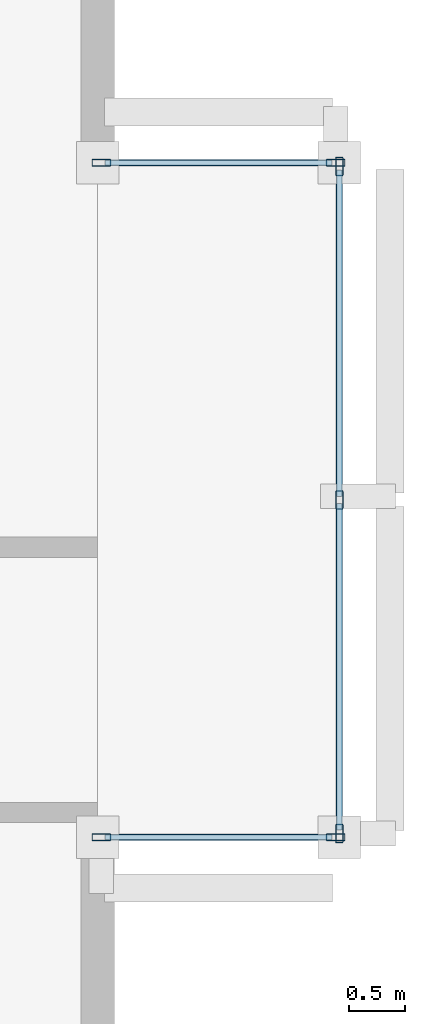
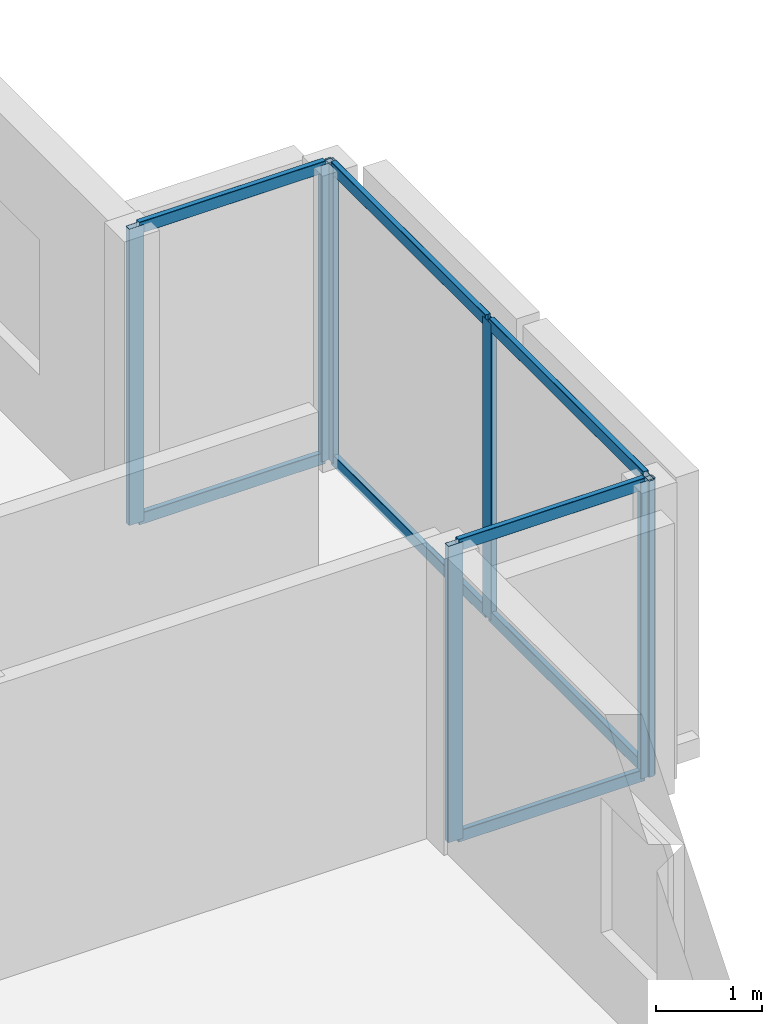
# One storey, part 4 of 14: 15 members, 3 elements without a shape of their own.
"""IFC4 building model written with IfcOpenShell, lengths in metres."""

from ifc_helpers import new_model, si_unit, direction, frame, origin, origin_2d, place, context, subcontext, project, spatial, hollow_rectangle, extrude, material, layer, layer_set, material_profile, profile_set, type_object, element, aggregate, save


model = new_model("IFC4")

# Units and contexts
model_context = context("Model", 3, precision=1e-05, world=origin(), true_north=direction((0.0, 1.0)))
body_context = subcontext(model_context, "Body", "Model", "MODEL_VIEW")
ifc_project = project(units=[si_unit("LENGTHUNIT", "METRE"), si_unit("AREAUNIT", "SQUARE_METRE"), si_unit("VOLUMEUNIT", "CUBIC_METRE"), si_unit("PLANEANGLEUNIT", "RADIAN"), si_unit("MASSUNIT", "GRAM", prefix="KILO")], contexts=[model_context])

# Site, building, storey
site_placement = place(None, origin())
site = spatial("IfcSite", under=ifc_project, at=site_placement, CompositionType="ELEMENT")
building_placement = place(site_placement, origin())
building = spatial("IfcBuilding", under=site, at=building_placement, Name="An Khanh Terracotta Commons", CompositionType="ELEMENT")
storey_placement = place(building_placement, frame((0.0, 0.0, 93.5)))
storey = spatial("IfcBuildingStorey", under=building, at=storey_placement, Name="L24", CompositionType="ELEMENT", Elevation=93.5)

# Curtain wall, members
ifc_material = material(Name="Anodised Aluminium 6063-T6", Category="aluminium")
ifc_layer = layer(ifc_material, 0.239990234375, Name="Anodised Aluminium 6063-T6")
ifc_layer_set = layer_set([ifc_layer], Name="Anodised Aluminium 6063-T6")
curtain_wall_type = type_object("IfcCurtainWallType", Name="CW-SYS-04", PredefinedType="USERDEFINED", material=ifc_layer_set)
curtain_wall_1_placement = place(storey_placement, origin())
curtain_wall_1 = element("IfcCurtainWall", 1, at=curtain_wall_1_placement, inside=storey, type_object=curtain_wall_type, Name="L24 CW-04 Unitised Curtain Wall CW-L24-EBOX-1", ObjectType="UNITISED CURTAIN WALL", PredefinedType="USERDEFINED")
ifc_material_profile_1 = material_profile(ifc_material, hollow_rectangle(XDim=0.06494140625, YDim=0.1650390625, WallThickness=0.00390625, InnerFilletRadius=0.00390625, OuterFilletRadius=0.008056640625, at=origin_2d()), Name="RHS165x65x4")
ifc_profile_set_1 = profile_set([ifc_material_profile_1], Name="Anodised Aluminium 6063-T6")
member_type_1 = type_object("IfcMemberType", Name="CWM-RHS165x65x4", PredefinedType="MULLION", material=ifc_profile_set_1)
member_1_placement = place(storey_placement, frame((59.550048828125, 22.632568359375, 0.0), z_axis=(0.0, 0.0, 1.0), x_axis=(-1.0, 0.0, 0.0)))
member_1 = element("IfcMember", 2, at=member_1_placement, type_object=member_type_1, Name="CW-04 mullion 1", PredefinedType="MULLION", context=body_context, shape_type="SweptSolid", body=[
    extrude(hollow_rectangle(XDim=0.06494140625, YDim=0.1650390625, WallThickness=0.00390625, InnerFilletRadius=0.00390625, OuterFilletRadius=0.008056640625, at=origin_2d()), origin(), (0.0, 0.0, 1.0), 3.39990234375),
])
member_2_placement = place(storey_placement, frame((59.550048828125, 25.60009765625, 0.0), z_axis=(0.0, 0.0, 1.0), x_axis=(-1.0, 0.0, 0.0)))
member_2 = element("IfcMember", 3, at=member_2_placement, type_object=member_type_1, Name="CW-04 mullion 2", PredefinedType="MULLION", context=body_context, shape_type="SweptSolid", body=[
    extrude(hollow_rectangle(XDim=0.06494140625, YDim=0.1650390625, WallThickness=0.00390625, InnerFilletRadius=0.00390625, OuterFilletRadius=0.008056640625, at=origin_2d()), origin(), (0.0, 0.0, 1.0), 3.39990234375),
])
member_3_placement = place(storey_placement, frame((59.550048828125, 28.5673828125, 0.0), z_axis=(0.0, 0.0, 1.0), x_axis=(-1.0, 0.0, 0.0)))
member_3 = element("IfcMember", 4, at=member_3_placement, type_object=member_type_1, Name="CW-04 mullion 3", PredefinedType="MULLION", context=body_context, shape_type="SweptSolid", body=[
    extrude(hollow_rectangle(XDim=0.06494140625, YDim=0.1650390625, WallThickness=0.00390625, InnerFilletRadius=0.00390625, OuterFilletRadius=0.008056640625, at=origin_2d()), origin(), (0.0, 0.0, 1.0), 3.39990234375),
])

curtain_wall_2_placement = place(storey_placement, origin())
curtain_wall_2 = element("IfcCurtainWall", 5, at=curtain_wall_2_placement, inside=storey, type_object=curtain_wall_type, Name="L24 CW-04 Unitised Curtain Wall CW-L24-EBOX-2", ObjectType="UNITISED CURTAIN WALL", PredefinedType="USERDEFINED")
member_4_placement = place(storey_placement, frame((57.4326171875, 22.60009765625, 0.0), z_axis=(0.0, 0.0, 1.0), x_axis=(0.0, 1.0, 0.0)))
member_4 = element("IfcMember", 6, at=member_4_placement, type_object=member_type_1, Name="CW-04 mullion 1", PredefinedType="MULLION", context=body_context, shape_type="SweptSolid", body=[
    extrude(hollow_rectangle(XDim=0.06494140625, YDim=0.1650390625, WallThickness=0.00390625, InnerFilletRadius=0.00390625, OuterFilletRadius=0.008056640625, at=origin_2d()), origin(), (0.0, 0.0, 1.0), 3.39990234375),
])
member_5_placement = place(storey_placement, frame((59.517578125, 22.60009765625, 0.0), z_axis=(0.0, 0.0, 1.0), x_axis=(0.0, 1.0, 0.0)))
member_5 = element("IfcMember", 7, at=member_5_placement, type_object=member_type_1, Name="CW-04 mullion 2", PredefinedType="MULLION", context=body_context, shape_type="SweptSolid", body=[
    extrude(hollow_rectangle(XDim=0.06494140625, YDim=0.1650390625, WallThickness=0.00390625, InnerFilletRadius=0.00390625, OuterFilletRadius=0.008056640625, at=origin_2d()), origin(), (0.0, 0.0, 1.0), 3.39990234375),
])

curtain_wall_3_placement = place(storey_placement, origin())
curtain_wall_3 = element("IfcCurtainWall", 8, at=curtain_wall_3_placement, inside=storey, type_object=curtain_wall_type, Name="L24 CW-04 Unitised Curtain Wall CW-L24-EBOX-3", ObjectType="UNITISED CURTAIN WALL", PredefinedType="USERDEFINED")
member_6_placement = place(storey_placement, frame((59.517578125, 28.60009765625, 0.0), z_axis=(0.0, 0.0, 1.0), x_axis=(0.0, -1.0, 0.0)))
member_6 = element("IfcMember", 9, at=member_6_placement, type_object=member_type_1, Name="CW-04 mullion 1", PredefinedType="MULLION", context=body_context, shape_type="SweptSolid", body=[
    extrude(hollow_rectangle(XDim=0.06494140625, YDim=0.1650390625, WallThickness=0.00390625, InnerFilletRadius=0.00390625, OuterFilletRadius=0.008056640625, at=origin_2d()), origin(), (0.0, 0.0, 1.0), 3.39990234375),
])
member_7_placement = place(storey_placement, frame((57.4326171875, 28.60009765625, 0.0), z_axis=(0.0, 0.0, 1.0), x_axis=(0.0, -1.0, 0.0)))
member_7 = element("IfcMember", 10, at=member_7_placement, type_object=member_type_1, Name="CW-04 mullion 2", PredefinedType="MULLION", context=body_context, shape_type="SweptSolid", body=[
    extrude(hollow_rectangle(XDim=0.06494140625, YDim=0.1650390625, WallThickness=0.00390625, InnerFilletRadius=0.00390625, OuterFilletRadius=0.008056640625, at=origin_2d()), origin(), (0.0, 0.0, 1.0), 3.39990234375),
])

# Member
ifc_material_profile_2 = material_profile(ifc_material, hollow_rectangle(XDim=0.06005859375, YDim=0.135009765625, WallThickness=0.003662109375, InnerFilletRadius=0.003662109375, OuterFilletRadius=0.007080078125, at=origin_2d()), Name="RHS135x60x3.6")
ifc_profile_set_2 = profile_set([ifc_material_profile_2], Name="Anodised Aluminium 6063-T6")
member_type_2 = type_object("IfcMemberType", Name="CWT-RHS135x60x3.6", PredefinedType="USERDEFINED", material=ifc_profile_set_2)
member_8_placement = place(storey_placement, frame((59.550048828125, 22.6650390625, 0.030029296875), z_axis=(0.0, 1.0, 0.0), x_axis=(-1.0, 0.0, 0.0)))
member_8 = element("IfcMember", 11, at=member_8_placement, type_object=member_type_2, Name="CW-04 transom 1.1", ObjectType="TRANSOM", PredefinedType="USERDEFINED", context=body_context, shape_type="SweptSolid", body=[
    extrude(hollow_rectangle(XDim=0.06005859375, YDim=0.135009765625, WallThickness=0.003662109375, InnerFilletRadius=0.003662109375, OuterFilletRadius=0.007080078125, at=origin_2d()), origin(), (0.0, 0.0, 1.0), 2.90234375),
])

member_9_placement = place(storey_placement, frame((59.550048828125, 22.6650390625, 3.3701171875), z_axis=(0.0, 1.0, 0.0), x_axis=(-1.0, 0.0, 0.0)))
member_9 = element("IfcMember", 12, at=member_9_placement, type_object=member_type_2, Name="CW-04 transom 1.2", ObjectType="TRANSOM", PredefinedType="USERDEFINED", context=body_context, shape_type="SweptSolid", body=[
    extrude(hollow_rectangle(XDim=0.06005859375, YDim=0.135009765625, WallThickness=0.003662109375, InnerFilletRadius=0.003662109375, OuterFilletRadius=0.007080078125, at=origin_2d()), origin(), (0.0, 0.0, 1.0), 2.90234375),
])

member_10_placement = place(storey_placement, frame((59.550048828125, 25.632568359375, 0.030029296875), z_axis=(0.0, 1.0, 0.0), x_axis=(-1.0, 0.0, 0.0)))
member_10 = element("IfcMember", 13, at=member_10_placement, type_object=member_type_2, Name="CW-04 transom 2.1", ObjectType="TRANSOM", PredefinedType="USERDEFINED", context=body_context, shape_type="SweptSolid", body=[
    extrude(hollow_rectangle(XDim=0.06005859375, YDim=0.135009765625, WallThickness=0.003662109375, InnerFilletRadius=0.003662109375, OuterFilletRadius=0.007080078125, at=origin_2d()), origin(), (0.0, 0.0, 1.0), 2.90234375),
])

member_11_placement = place(storey_placement, frame((59.550048828125, 25.632568359375, 3.3701171875), z_axis=(0.0, 1.0, 0.0), x_axis=(-1.0, 0.0, 0.0)))
member_11 = element("IfcMember", 14, at=member_11_placement, type_object=member_type_2, Name="CW-04 transom 2.2", ObjectType="TRANSOM", PredefinedType="USERDEFINED", context=body_context, shape_type="SweptSolid", body=[
    extrude(hollow_rectangle(XDim=0.06005859375, YDim=0.135009765625, WallThickness=0.003662109375, InnerFilletRadius=0.003662109375, OuterFilletRadius=0.007080078125, at=origin_2d()), origin(), (0.0, 0.0, 1.0), 2.90234375),
])

aggregate(curtain_wall_1, [member_1, member_2, member_3, member_8, member_9, member_10, member_11])

member_12_placement = place(storey_placement, frame((57.465087890625, 22.60009765625, 0.030029296875), z_axis=(1.0, 0.0, 0.0), x_axis=(0.0, 1.0, 0.0)))
member_12 = element("IfcMember", 15, at=member_12_placement, type_object=member_type_2, Name="CW-04 transom 1.1", ObjectType="TRANSOM", PredefinedType="USERDEFINED", context=body_context, shape_type="SweptSolid", body=[
    extrude(hollow_rectangle(XDim=0.06005859375, YDim=0.135009765625, WallThickness=0.003662109375, InnerFilletRadius=0.003662109375, OuterFilletRadius=0.007080078125, at=origin_2d()), origin(), (0.0, 0.0, 1.0), 2.02001953125),
])

member_13_placement = place(storey_placement, frame((57.465087890625, 22.60009765625, 3.3701171875), z_axis=(1.0, 0.0, 0.0), x_axis=(0.0, 1.0, 0.0)))
member_13 = element("IfcMember", 16, at=member_13_placement, type_object=member_type_2, Name="CW-04 transom 1.2", ObjectType="TRANSOM", PredefinedType="USERDEFINED", context=body_context, shape_type="SweptSolid", body=[
    extrude(hollow_rectangle(XDim=0.06005859375, YDim=0.135009765625, WallThickness=0.003662109375, InnerFilletRadius=0.003662109375, OuterFilletRadius=0.007080078125, at=origin_2d()), origin(), (0.0, 0.0, 1.0), 2.02001953125),
])

aggregate(curtain_wall_2, [member_4, member_5, member_12, member_13])

member_14_placement = place(storey_placement, frame((59.485107421875, 28.60009765625, 0.030029296875), z_axis=(-1.0, 0.0, 0.0), x_axis=(0.0, -1.0, 0.0)))
member_14 = element("IfcMember", 17, at=member_14_placement, type_object=member_type_2, Name="CW-04 transom 1.1", ObjectType="TRANSOM", PredefinedType="USERDEFINED", context=body_context, shape_type="SweptSolid", body=[
    extrude(hollow_rectangle(XDim=0.06005859375, YDim=0.135009765625, WallThickness=0.003662109375, InnerFilletRadius=0.003662109375, OuterFilletRadius=0.007080078125, at=origin_2d()), origin(), (0.0, 0.0, 1.0), 2.02001953125),
])

member_15_placement = place(storey_placement, frame((59.485107421875, 28.60009765625, 3.3701171875), z_axis=(-1.0, 0.0, 0.0), x_axis=(0.0, -1.0, 0.0)))
member_15 = element("IfcMember", 18, at=member_15_placement, type_object=member_type_2, Name="CW-04 transom 1.2", ObjectType="TRANSOM", PredefinedType="USERDEFINED", context=body_context, shape_type="SweptSolid", body=[
    extrude(hollow_rectangle(XDim=0.06005859375, YDim=0.135009765625, WallThickness=0.003662109375, InnerFilletRadius=0.003662109375, OuterFilletRadius=0.007080078125, at=origin_2d()), origin(), (0.0, 0.0, 1.0), 2.02001953125),
])

aggregate(curtain_wall_3, [member_6, member_7, member_14, member_15])

save(model, "model.ifc")
